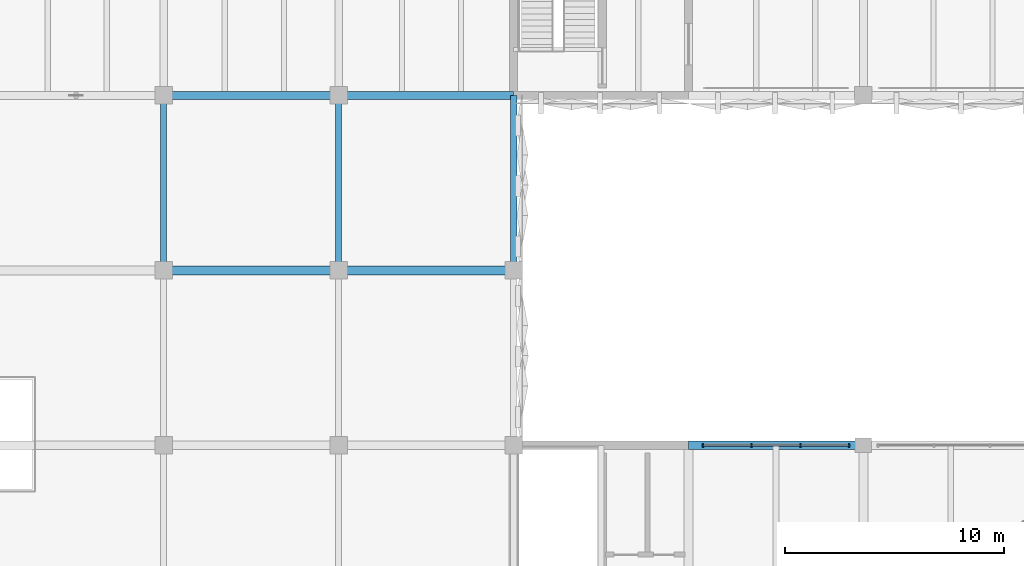
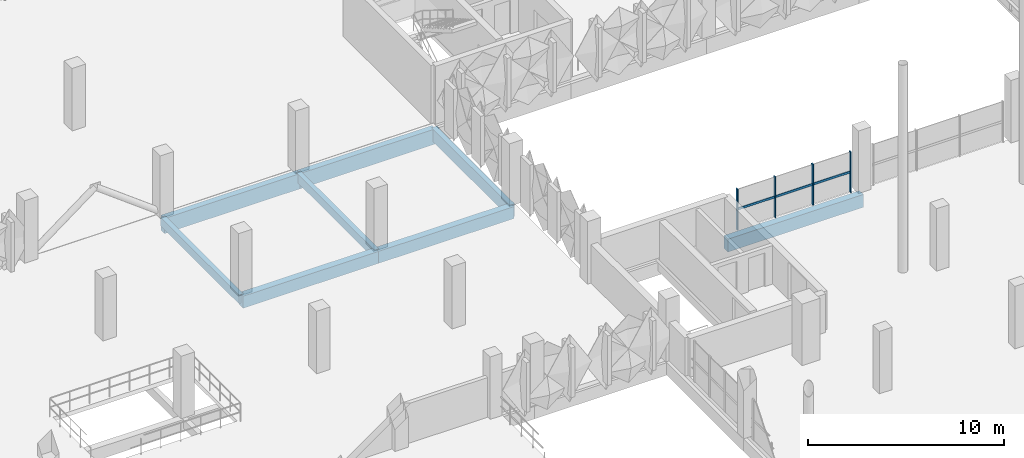
# One storey, part 28 of 123: 8 beams, 5 members, 1 element without a shape of its own.
"""IFC4 building model written with IfcOpenShell, lengths in metres."""

from ifc_helpers import new_model, si_unit, derived_unit, direction, frame, origin, origin_2d, place, context, subcontext, project, spatial, rectangle, extrude, material, layer, layer_set, material_profile, profile_set, type_object, element, aggregate, save


model = new_model("IFC4")

# Units and contexts
model_context = context("Model", 3, precision=1e-05, world=origin(), true_north=direction((0.0, 1.0)))
body_context = subcontext(model_context, "Body", "Model", "MODEL_VIEW")
ifc_project = project(units=[si_unit("LENGTHUNIT", "METRE"), si_unit("AREAUNIT", "SQUARE_METRE"), si_unit("VOLUMEUNIT", "CUBIC_METRE"), si_unit("PLANEANGLEUNIT", "RADIAN"), si_unit("MASSUNIT", "GRAM", prefix="KILO"), si_unit("THERMODYNAMICTEMPERATUREUNIT", "KELVIN"), derived_unit("THERMALTRANSMITTANCEUNIT", [(si_unit("POWERUNIT", "WATT"), 1), (si_unit("AREAUNIT", "SQUARE_METRE"), -1), (si_unit("THERMODYNAMICTEMPERATUREUNIT", "KELVIN"), -1)])], contexts=[model_context])

# Site, building, storey
site_placement = place(None, origin())
site = spatial("IfcSite", under=ifc_project, at=site_placement, CompositionType="ELEMENT")
building_placement = place(site_placement, origin())
building = spatial("IfcBuilding", under=site, at=building_placement, Name="Haiyu Intermodal Mobility Hub", CompositionType="ELEMENT")
storey_placement = place(building_placement, frame((0.0, 0.0, 5.60009765625)))
storey = spatial("IfcBuildingStorey", under=building, at=storey_placement, Name="L01", CompositionType="ELEMENT", Elevation=5.60009765625)

# Beams
ifc_material_1 = material(Name="Concrete C40", Category="concrete")
ifc_material_profile_1 = material_profile(ifc_material_1, rectangle(XDim=0.39990234375, YDim=0.75, at=origin_2d()), Name="RCB400x750")
ifc_profile_set_1 = profile_set([ifc_material_profile_1], Name="Concrete C40")
beam_type_1 = type_object("IfcBeamType", Name="BM-CB03", PredefinedType="BEAM", material=ifc_profile_set_1)
for number, where, z_axis, x_axis, name in (
    (1, (46.0, 96.0, -0.64013671875), (1.0, 0.0, 0.0), (0.0, 1.0, 0.0), "BM-V4WG-L01-017"),
    (2, (54.0, 96.0, -0.64013671875), (1.0, 0.0, 0.0), (0.0, 1.0, 0.0), "BM-V4WG-L01-018"),
):
    element("IfcBeam", number, at=place(storey_placement, frame(where, z_axis=z_axis, x_axis=x_axis)), inside=storey, type_object=beam_type_1, Name=name, PredefinedType="BEAM", context=body_context, shape_type="SweptSolid", body=[
        extrude(rectangle(XDim=0.39990234375, YDim=0.75, at=origin_2d()), origin(), (0.0, 0.0, 1.0), 8.0),
    ])
ifc_material_profile_2 = material_profile(ifc_material_1, rectangle(XDim=0.39990234375, YDim=0.800048828125, at=origin_2d()), Name="RCB400x800")
ifc_profile_set_2 = profile_set([ifc_material_profile_2], Name="Concrete C40")
beam_type_2 = type_object("IfcBeamType", Name="BM-CB05", PredefinedType="BEAM", material=ifc_profile_set_2)
beam_1_placement = place(storey_placement, frame((70.0, 88.0, -0.66015625), z_axis=(1.0, 0.0, 0.0), x_axis=(0.0, 1.0, 0.0)))
element("IfcBeam", 3, at=beam_1_placement, inside=storey, type_object=beam_type_2, Name="BM-V1G-L01-032", PredefinedType="BEAM", context=body_context, shape_type="SweptSolid", body=[
    extrude(rectangle(XDim=0.39990234375, YDim=0.800048828125, at=origin_2d()), origin(), (0.0, 0.0, 1.0), 8.0),
])
ifc_material_profile_3 = material_profile(ifc_material_1, rectangle(XDim=0.280029296875, YDim=0.5400390625, at=origin_2d()), Name="RCB280x540")
ifc_profile_set_3 = profile_set([ifc_material_profile_3], Name="Concrete C40")
beam_type_3 = type_object("IfcBeamType", Name="BM-CB08", PredefinedType="JOIST", material=ifc_profile_set_3)
for number, where, z_axis, x_axis, name in (
    (4, (46.0, 96.0, -0.53515625), (0.0, 1.0, 0.0), (-1.0, 0.0, 0.0), "BM-V4WJ-L01-014"),
    (5, (54.0, 96.0, -0.53515625), (0.0, 1.0, 0.0), (-1.0, 0.0, 0.0), "BM-V4WJ-L01-017"),
):
    element("IfcBeam", number, at=place(storey_placement, frame(where, z_axis=z_axis, x_axis=x_axis)), inside=storey, type_object=beam_type_3, Name=name, PredefinedType="JOIST", context=body_context, shape_type="SweptSolid", body=[
        extrude(rectangle(XDim=0.280029296875, YDim=0.5400390625, at=origin_2d()), origin(), (0.0, 0.0, 1.0), 8.0),
    ])
ifc_material_2 = material(Name="Precast concrete C40", Category="concrete")
ifc_material_profile_4 = material_profile(ifc_material_2, rectangle(XDim=0.35009765625, YDim=0.949951171875, at=origin_2d()), Name="PC350x950")
ifc_profile_set_4 = profile_set([ifc_material_profile_4], Name="Precast concrete C40")
beam_type_4 = type_object("IfcBeamType", Name="BM-SP01", PredefinedType="SPANDREL", material=ifc_profile_set_4)
for number, where, z_axis, x_axis, name in (
    (6, (46.0, 104.0, -0.75), (1.0, 0.0, 0.0), (0.0, 1.0, 0.0), "BM-V4G-L01-004"),
    (7, (54.0, 104.0, -0.75), (1.0, 0.0, 0.0), (0.0, 1.0, 0.0), "BM-V4G-L01-005"),
):
    element("IfcBeam", number, at=place(storey_placement, frame(where, z_axis=z_axis, x_axis=x_axis)), inside=storey, type_object=beam_type_4, Name=name, PredefinedType="SPANDREL", context=body_context, shape_type="SweptSolid", body=[
        extrude(rectangle(XDim=0.35009765625, YDim=0.949951171875, at=origin_2d()), origin(), (0.0, 0.0, 1.0), 8.0),
    ])
ifc_material_profile_5 = material_profile(ifc_material_2, rectangle(XDim=0.300048828125, YDim=0.780029296875, at=origin_2d()), Name="PC300x780")
ifc_profile_set_5 = profile_set([ifc_material_profile_5], Name="Precast concrete C40")
beam_type_5 = type_object("IfcBeamType", Name="BM-SP03", PredefinedType="SPANDREL", material=ifc_profile_set_5)
beam_2_placement = place(storey_placement, frame((62.0, 96.0, -0.655029296875), z_axis=(0.0, 1.0, 0.0), x_axis=(-1.0, 0.0, 0.0)))
element("IfcBeam", 8, at=beam_2_placement, inside=storey, type_object=beam_type_5, Name="BM-V4WJ-L01-020", PredefinedType="SPANDREL", context=body_context, shape_type="SweptSolid", body=[
    extrude(rectangle(XDim=0.300048828125, YDim=0.780029296875, at=origin_2d()), origin(), (0.0, 0.0, 1.0), 8.0),
])

# Curtain wall, members
ifc_material_3 = material(Name="Low-e laminated insulating glass", Category="glass")
ifc_layer = layer(ifc_material_3, 0.25)
ifc_layer_set = layer_set([ifc_layer], Name="Low-e laminated insulating glass")
curtain_wall_type = type_object("IfcCurtainWallType", Name="CW-CW02", PredefinedType="NOTDEFINED", material=ifc_layer_set)
curtain_wall_placement = place(storey_placement, origin())
curtain_wall = element("IfcCurtainWall", 9, at=curtain_wall_placement, inside=storey, type_object=curtain_wall_type, Name="Curtain Wall CW-V1N-L01-022", PredefinedType="NOTDEFINED")
ifc_material_4 = material(Name="Anodised aluminium 6063-T6", Category="aluminium")
ifc_material_profile_6 = material_profile(ifc_material_4, rectangle(XDim=0.06494140625, YDim=0.1650390625, at=origin_2d()), Name="ALU65x165")
ifc_profile_set_6 = profile_set([ifc_material_profile_6], Name="Anodised aluminium 6063-T6")
member_type_1 = type_object("IfcMemberType", Name="CWM-ML02", PredefinedType="MULLION", material=ifc_profile_set_6)
member_1_placement = place(storey_placement, frame((77.340087890625, 88.0, 0.0), z_axis=(0.0, 0.0, 1.0), x_axis=(1.0, 0.0, 0.0)))
member_1 = element("IfcMember", 10, at=member_1_placement, type_object=member_type_1, Name="CW-V1N-L01-022-ML01", PredefinedType="MULLION", context=body_context, shape_type="SweptSolid", body=[
    extrude(rectangle(XDim=0.06494140625, YDim=0.1650390625, at=origin_2d()), origin(), (0.0, 0.0, 1.0), 2.5498046875),
])
member_2_placement = place(storey_placement, frame((75.113037109375, 88.0, 0.0), z_axis=(0.0, 0.0, 1.0), x_axis=(1.0, 0.0, 0.0)))
member_2 = element("IfcMember", 11, at=member_2_placement, type_object=member_type_1, Name="CW-V1N-L01-022-ML02", PredefinedType="MULLION", context=body_context, shape_type="SweptSolid", body=[
    extrude(rectangle(XDim=0.06494140625, YDim=0.1650390625, at=origin_2d()), origin(), (0.0, 0.0, 1.0), 2.5498046875),
])
member_3_placement = place(storey_placement, frame((72.886962890625, 88.0, 0.0), z_axis=(0.0, 0.0, 1.0), x_axis=(1.0, 0.0, 0.0)))
member_3 = element("IfcMember", 12, at=member_3_placement, type_object=member_type_1, Name="CW-V1N-L01-022-ML03", PredefinedType="MULLION", context=body_context, shape_type="SweptSolid", body=[
    extrude(rectangle(XDim=0.06494140625, YDim=0.1650390625, at=origin_2d()), origin(), (0.0, 0.0, 1.0), 2.5498046875),
])
member_4_placement = place(storey_placement, frame((70.659912109375, 88.0, 0.0), z_axis=(0.0, 0.0, 1.0), x_axis=(1.0, 0.0, 0.0)))
member_4 = element("IfcMember", 13, at=member_4_placement, type_object=member_type_1, Name="CW-V1N-L01-022-ML04", PredefinedType="MULLION", context=body_context, shape_type="SweptSolid", body=[
    extrude(rectangle(XDim=0.06494140625, YDim=0.1650390625, at=origin_2d()), origin(), (0.0, 0.0, 1.0), 2.5498046875),
])
ifc_material_profile_7 = material_profile(ifc_material_4, rectangle(XDim=0.06494140625, YDim=0.135009765625, at=origin_2d()), Name="ALU65x135")
ifc_profile_set_7 = profile_set([ifc_material_profile_7], Name="Anodised aluminium 6063-T6")
member_type_2 = type_object("IfcMemberType", Name="CWM-TR02", PredefinedType="USERDEFINED", material=ifc_profile_set_7)
member_5_placement = place(storey_placement, frame((77.3798828125, 88.0, 1.27490234375), z_axis=(-1.0, 0.0, 0.0), x_axis=(0.0, -1.0, 0.0)))
member_5 = element("IfcMember", 14, at=member_5_placement, type_object=member_type_2, Name="CW-V1N-L01-022-TR01", ObjectType="TRANSOM", PredefinedType="USERDEFINED", context=body_context, shape_type="SweptSolid", body=[
    extrude(rectangle(XDim=0.06494140625, YDim=0.135009765625, at=origin_2d()), origin(), (0.0, 0.0, 1.0), 6.759765625),
])
aggregate(curtain_wall, [member_1, member_2, member_3, member_4, member_5])

save(model, "model.ifc")
